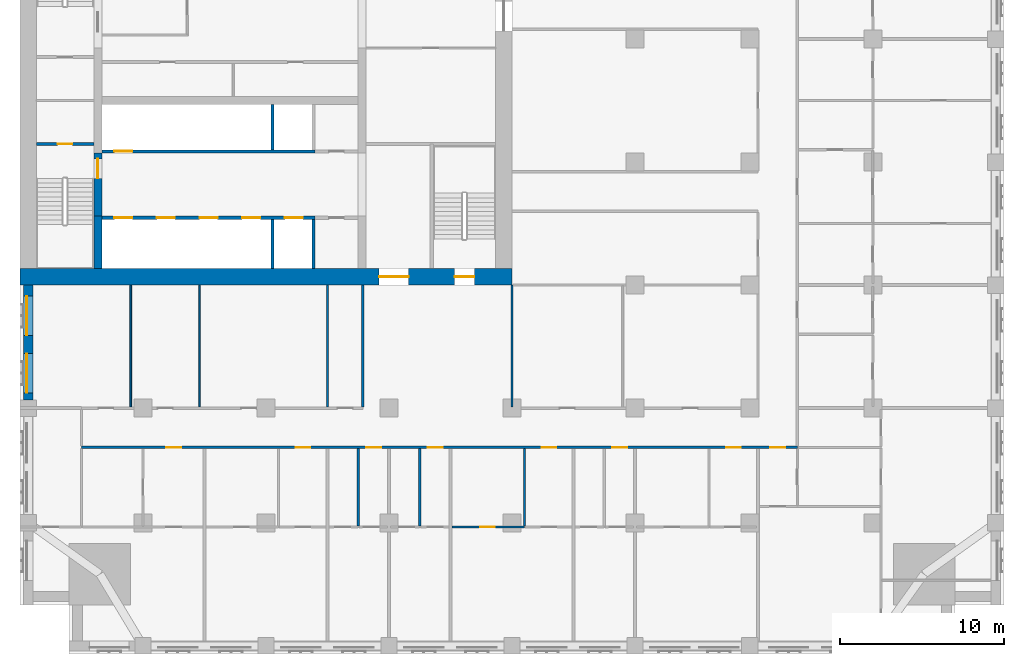
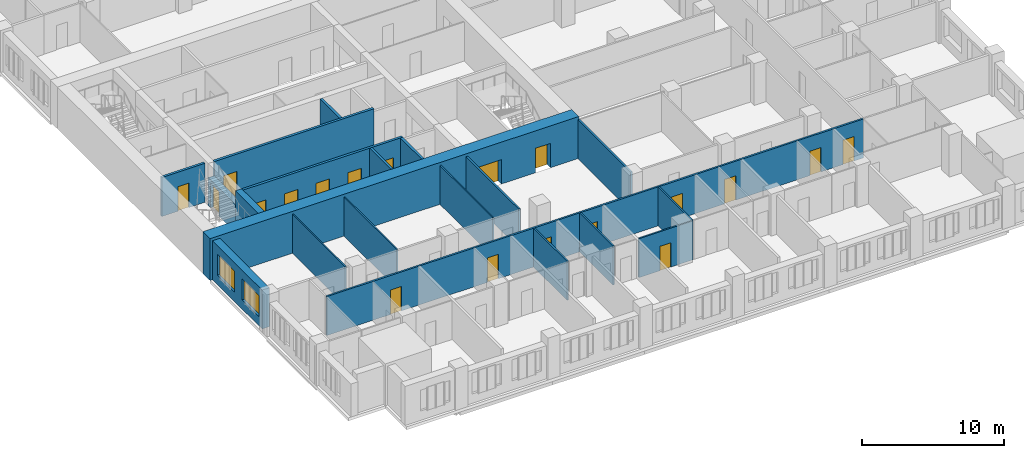
# One storey, part 5 of 14: 20 walls, 19 doors, 2 windows, 21 openings.
"""IFC4 building model written with IfcOpenShell, lengths in metres."""

from ifc_helpers import new_model, si_unit, direction, frame, frame_2d, origin, place, context, subcontext, project, spatial, rectangle, extrude, material, layer, layer_set, type_object, element, fill, save


model = new_model("IFC4")

# Units and contexts
model_context = context("Model", 3, precision=1e-05, world=origin(), true_north=direction((0.0, 1.0)))
body_context = subcontext(model_context, "Body", "Model", "MODEL_VIEW")
ifc_project = project(units=[si_unit("LENGTHUNIT", "METRE"), si_unit("AREAUNIT", "SQUARE_METRE"), si_unit("VOLUMEUNIT", "CUBIC_METRE"), si_unit("PLANEANGLEUNIT", "RADIAN"), si_unit("MASSUNIT", "GRAM", prefix="KILO")], contexts=[model_context])

# Site, building, storey
site_placement = place(None, origin())
site = spatial("IfcSite", under=ifc_project, at=site_placement, CompositionType="ELEMENT")
building_placement = place(site_placement, origin())
building = spatial("IfcBuilding", under=site, at=building_placement, Name="Tamorin Gate", CompositionType="ELEMENT")
storey_placement = place(building_placement, frame((0.0, 0.0, 104.300048828125)))
storey = spatial("IfcBuildingStorey", under=building, at=storey_placement, Name="L25", CompositionType="ELEMENT", Elevation=104.300048828125)

# Wall, openings, windows
ifc_material_1 = material(Name="Precast concrete C40/50", Category="concrete")
ifc_layer_1 = layer(ifc_material_1, 0.60009765625)
ifc_layer_set_1 = layer_set([ifc_layer_1], Name="Precast concrete C40/50")
wall_type_1 = type_object("IfcWallType", Name="Board-marked concrete facade panel 600", PredefinedType="SOLIDWALL", material=ifc_layer_set_1)
wall_1_placement = place(storey_placement, frame((30.5, 60.0, 0.0), z_axis=(0.0, 0.0, 1.0), x_axis=(0.0, -1.0, 0.0)))
wall_1 = element("IfcWall", 1, at=wall_1_placement, inside=storey, type_object=wall_type_1, Name="Facade panel", PredefinedType="SOLIDWALL", context=body_context, shape_type="SweptSolid", body=[
    extrude(rectangle(XDim=7.0, YDim=0.60009765625, at=frame_2d((3.5, 0.0))), origin(), (0.0, 0.0, 1.0), 3.349853515625),
])
opening_1_placement = place(wall_1_placement, frame((4.175048828125, 0.0, 0.800048828125)))
opening_1 = element("IfcOpeningElement", 2, at=opening_1_placement, cuts=wall_1, Name="Opening WN1", PredefinedType="OPENING", context=body_context, shape_type="SweptSolid", body=[
    extrude(rectangle(XDim=2.39990234375, YDim=1.800048828125, at=frame_2d((1.199951171875, 0.89990234375))), frame((0.0, 0.31005859375, 0.0), z_axis=(0.0, -1.0, 0.0), x_axis=(1.0, 0.0, 0.0)), (0.0, 0.0, 1.0), 0.6201171875),
])
opening_2_placement = place(wall_1_placement, frame((0.675048828125, 0.0, 0.800048828125)))
opening_2 = element("IfcOpeningElement", 3, at=opening_2_placement, cuts=wall_1, Name="Opening WN1", PredefinedType="OPENING", context=body_context, shape_type="SweptSolid", body=[
    extrude(rectangle(XDim=2.39990234375, YDim=1.800048828125, at=frame_2d((1.199951171875, 0.89990234375))), frame((0.0, 0.31005859375, 0.0), z_axis=(0.0, -1.0, 0.0), x_axis=(1.0, 0.0, 0.0)), (0.0, 0.0, 1.0), 0.6201171875),
])
ifc_material_2 = material(Name="Clear glass in aluminium frame", Category="aluminium")
window_type = type_object("IfcWindowType", Name="Deep-set window 2400x1800", PartitioningType="SINGLE_PANEL", PredefinedType="WINDOW", material=ifc_material_2)
window_1_placement = place(opening_1_placement, origin())
window_1 = element("IfcWindow", 4, at=window_1_placement, inside=storey, type_object=window_type, Name="Deep-set window", OverallHeight=1.800048828125, OverallWidth=2.39990234375, PartitioningType="SINGLE_PANEL", PredefinedType="WINDOW", context=body_context, shape_type="SweptSolid", body=[
    extrude(rectangle(XDim=2.39990234375, YDim=1.800048828125, at=frame_2d((1.199951171875, 0.89990234375))), frame((0.0, -0.070068359375, 0.0), z_axis=(0.0, -1.0, 0.0), x_axis=(1.0, 0.0, 0.0)), (0.0, 0.0, 1.0), 0.06005859375),
])
fill(opening_1, window_1)
window_2_placement = place(opening_2_placement, origin())
window_2 = element("IfcWindow", 5, at=window_2_placement, inside=storey, type_object=window_type, Name="Deep-set window", OverallHeight=1.800048828125, OverallWidth=2.39990234375, PartitioningType="SINGLE_PANEL", PredefinedType="WINDOW", context=body_context, shape_type="SweptSolid", body=[
    extrude(rectangle(XDim=2.39990234375, YDim=1.800048828125, at=frame_2d((1.199951171875, 0.89990234375))), frame((0.0, -0.070068359375, 0.0), z_axis=(0.0, -1.0, 0.0), x_axis=(1.0, 0.0, 0.0)), (0.0, 0.0, 1.0), 0.06005859375),
])
fill(opening_2, window_2)

# Wall, openings, doors
ifc_material_3 = material(Name="Gypsum board partition")
ifc_layer_2 = layer(ifc_material_3, 0.14990234375)
ifc_layer_set_2 = layer_set([ifc_layer_2], Name="Corridor wall 150")
wall_type_2 = type_object("IfcWallType", Name="Corridor wall 150", PredefinedType="PARTITIONING", material=ifc_layer_set_2)
wall_2_placement = place(storey_placement, frame((33.75, 50.10009765625, 0.0), z_axis=(0.0, 0.0, 1.0), x_axis=(1.0, 0.0, 0.0)))
wall_2 = element("IfcWall", 6, at=wall_2_placement, inside=storey, type_object=wall_type_2, Name="Corridor wall 150", PredefinedType="PARTITIONING", context=body_context, shape_type="SweptSolid", body=[
    extrude(rectangle(XDim=43.64990234375, YDim=0.14990234375, at=frame_2d((21.824951171875, 0.0))), origin(), (0.0, 0.0, 1.0), 3.349853515625),
])
opening_3_placement = place(wall_2_placement, frame((5.175048828125, 0.0, 0.0)))
opening_3 = element("IfcOpeningElement", 7, at=opening_3_placement, cuts=wall_2, Name="Opening DH8003", PredefinedType="OPENING", context=body_context, shape_type="SweptSolid", body=[
    extrude(rectangle(XDim=0.89990234375, YDim=2.10009765625, at=frame_2d((0.449951171875, 1.050048828125))), frame((0.0, 0.0849609375, 0.0), z_axis=(0.0, -1.0, 0.0), x_axis=(1.0, 0.0, 0.0)), (0.0, 0.0, 1.0), 0.169921875),
])
opening_4_placement = place(wall_2_placement, frame((13.050048828125, 0.0, 0.0)))
opening_4 = element("IfcOpeningElement", 8, at=opening_4_placement, cuts=wall_2, Name="Opening DH8006", PredefinedType="OPENING", context=body_context, shape_type="SweptSolid", body=[
    extrude(rectangle(XDim=0.89990234375, YDim=2.10009765625, at=frame_2d((0.449951171875, 1.050048828125))), frame((0.0, 0.0849609375, 0.0), z_axis=(0.0, -1.0, 0.0), x_axis=(1.0, 0.0, 0.0)), (0.0, 0.0, 1.0), 0.169921875),
])
opening_5_placement = place(wall_2_placement, frame((17.362548828125, 0.0, 0.0)))
opening_5 = element("IfcOpeningElement", 9, at=opening_5_placement, cuts=wall_2, Name="Opening DH8009", PredefinedType="OPENING", context=body_context, shape_type="SweptSolid", body=[
    extrude(rectangle(XDim=0.89990234375, YDim=2.10009765625, at=frame_2d((0.449951171875, 1.050048828125))), frame((0.0, 0.0849609375, 0.0), z_axis=(0.0, -1.0, 0.0), x_axis=(1.0, 0.0, 0.0)), (0.0, 0.0, 1.0), 0.169921875),
])
opening_6_placement = place(wall_2_placement, frame((21.112548828125, 0.0, 0.0)))
opening_6 = element("IfcOpeningElement", 10, at=opening_6_placement, cuts=wall_2, Name="Opening DH8012", PredefinedType="OPENING", context=body_context, shape_type="SweptSolid", body=[
    extrude(rectangle(XDim=0.89990234375, YDim=2.10009765625, at=frame_2d((0.449951171875, 1.050048828125))), frame((0.0, 0.0849609375, 0.0), z_axis=(0.0, -1.0, 0.0), x_axis=(1.0, 0.0, 0.0)), (0.0, 0.0, 1.0), 0.169921875),
])
opening_7_placement = place(wall_2_placement, frame((28.050048828125, 0.0, 0.0)))
opening_7 = element("IfcOpeningElement", 11, at=opening_7_placement, cuts=wall_2, Name="Opening DH8015", PredefinedType="OPENING", context=body_context, shape_type="SweptSolid", body=[
    extrude(rectangle(XDim=0.89990234375, YDim=2.10009765625, at=frame_2d((0.449951171875, 1.050048828125))), frame((0.0, 0.0849609375, 0.0), z_axis=(0.0, -1.0, 0.0), x_axis=(1.0, 0.0, 0.0)), (0.0, 0.0, 1.0), 0.169921875),
])
opening_8_placement = place(wall_2_placement, frame((32.362548828125, 0.0, 0.0)))
opening_8 = element("IfcOpeningElement", 12, at=opening_8_placement, cuts=wall_2, Name="Opening DH8018", PredefinedType="OPENING", context=body_context, shape_type="SweptSolid", body=[
    extrude(rectangle(XDim=0.89990234375, YDim=2.10009765625, at=frame_2d((0.449951171875, 1.050048828125))), frame((0.0, 0.0849609375, 0.0), z_axis=(0.0, -1.0, 0.0), x_axis=(1.0, 0.0, 0.0)), (0.0, 0.0, 1.0), 0.169921875),
])
opening_9_placement = place(wall_2_placement, frame((39.300048828125, 0.0, 0.0)))
opening_9 = element("IfcOpeningElement", 13, at=opening_9_placement, cuts=wall_2, Name="Opening DH8021", PredefinedType="OPENING", context=body_context, shape_type="SweptSolid", body=[
    extrude(rectangle(XDim=0.89990234375, YDim=2.10009765625, at=frame_2d((0.449951171875, 1.050048828125))), frame((0.0, 0.0849609375, 0.0), z_axis=(0.0, -1.0, 0.0), x_axis=(1.0, 0.0, 0.0)), (0.0, 0.0, 1.0), 0.169921875),
])
opening_10_placement = place(wall_2_placement, frame((42.0, 0.0, 0.0)))
opening_10 = element("IfcOpeningElement", 14, at=opening_10_placement, cuts=wall_2, Name="Opening DH8060", PredefinedType="OPENING", context=body_context, shape_type="SweptSolid", body=[
    extrude(rectangle(XDim=0.89990234375, YDim=2.10009765625, at=frame_2d((0.449951171875, 1.050048828125))), frame((0.0, 0.0849609375, 0.0), z_axis=(0.0, -1.0, 0.0), x_axis=(1.0, 0.0, 0.0)), (0.0, 0.0, 1.0), 0.169921875),
])
ifc_material_4 = material(Name="Timber door leaf", Category="wood")
door_type_1 = type_object("IfcDoorType", Name="Door 900 x 2100 FD30S", OperationType="NOTDEFINED", PredefinedType="DOOR", material=ifc_material_4)
door_1_placement = place(opening_3_placement, origin())
door_1 = element("IfcDoor", 15, at=door_1_placement, inside=storey, type_object=door_type_1, Name="Door DH8003", OperationType="SINGLE_SWING_RIGHT", OverallHeight=2.10009765625, OverallWidth=0.89990234375, PredefinedType="DOOR", context=body_context, shape_type="SweptSolid", body=[
    extrude(rectangle(XDim=0.89990234375, YDim=2.10009765625, at=frame_2d((0.449951171875, 1.050048828125))), frame((0.0, 0.02490234375, 0.0), z_axis=(0.0, -1.0, 0.0), x_axis=(1.0, 0.0, 0.0)), (0.0, 0.0, 1.0), 0.050048828125),
])
fill(opening_3, door_1)
door_2_placement = place(opening_4_placement, origin())
door_2 = element("IfcDoor", 16, at=door_2_placement, inside=storey, type_object=door_type_1, Name="Door DH8006", OperationType="SINGLE_SWING_RIGHT", OverallHeight=2.10009765625, OverallWidth=0.89990234375, PredefinedType="DOOR", context=body_context, shape_type="SweptSolid", body=[
    extrude(rectangle(XDim=0.89990234375, YDim=2.10009765625, at=frame_2d((0.449951171875, 1.050048828125))), frame((0.0, 0.02490234375, 0.0), z_axis=(0.0, -1.0, 0.0), x_axis=(1.0, 0.0, 0.0)), (0.0, 0.0, 1.0), 0.050048828125),
])
fill(opening_4, door_2)
door_3_placement = place(opening_5_placement, origin())
door_3 = element("IfcDoor", 17, at=door_3_placement, inside=storey, type_object=door_type_1, Name="Door DH8009", OperationType="SINGLE_SWING_RIGHT", OverallHeight=2.10009765625, OverallWidth=0.89990234375, PredefinedType="DOOR", context=body_context, shape_type="SweptSolid", body=[
    extrude(rectangle(XDim=0.89990234375, YDim=2.10009765625, at=frame_2d((0.449951171875, 1.050048828125))), frame((0.0, 0.02490234375, 0.0), z_axis=(0.0, -1.0, 0.0), x_axis=(1.0, 0.0, 0.0)), (0.0, 0.0, 1.0), 0.050048828125),
])
fill(opening_5, door_3)
door_4_placement = place(opening_6_placement, origin())
door_4 = element("IfcDoor", 18, at=door_4_placement, inside=storey, type_object=door_type_1, Name="Door DH8012", OperationType="SINGLE_SWING_RIGHT", OverallHeight=2.10009765625, OverallWidth=0.89990234375, PredefinedType="DOOR", context=body_context, shape_type="SweptSolid", body=[
    extrude(rectangle(XDim=0.89990234375, YDim=2.10009765625, at=frame_2d((0.449951171875, 1.050048828125))), frame((0.0, 0.02490234375, 0.0), z_axis=(0.0, -1.0, 0.0), x_axis=(1.0, 0.0, 0.0)), (0.0, 0.0, 1.0), 0.050048828125),
])
fill(opening_6, door_4)
door_5_placement = place(opening_7_placement, origin())
door_5 = element("IfcDoor", 19, at=door_5_placement, inside=storey, type_object=door_type_1, Name="Door DH8015", OperationType="SINGLE_SWING_RIGHT", OverallHeight=2.10009765625, OverallWidth=0.89990234375, PredefinedType="DOOR", context=body_context, shape_type="SweptSolid", body=[
    extrude(rectangle(XDim=0.89990234375, YDim=2.10009765625, at=frame_2d((0.449951171875, 1.050048828125))), frame((0.0, 0.02490234375, 0.0), z_axis=(0.0, -1.0, 0.0), x_axis=(1.0, 0.0, 0.0)), (0.0, 0.0, 1.0), 0.050048828125),
])
fill(opening_7, door_5)
door_6_placement = place(opening_8_placement, origin())
door_6 = element("IfcDoor", 20, at=door_6_placement, inside=storey, type_object=door_type_1, Name="Door DH8018", OperationType="SINGLE_SWING_RIGHT", OverallHeight=2.10009765625, OverallWidth=0.89990234375, PredefinedType="DOOR", context=body_context, shape_type="SweptSolid", body=[
    extrude(rectangle(XDim=0.89990234375, YDim=2.10009765625, at=frame_2d((0.449951171875, 1.050048828125))), frame((0.0, 0.02490234375, 0.0), z_axis=(0.0, -1.0, 0.0), x_axis=(1.0, 0.0, 0.0)), (0.0, 0.0, 1.0), 0.050048828125),
])
fill(opening_8, door_6)
door_7_placement = place(opening_9_placement, origin())
door_7 = element("IfcDoor", 21, at=door_7_placement, inside=storey, type_object=door_type_1, Name="Door DH8021", OperationType="SINGLE_SWING_RIGHT", OverallHeight=2.10009765625, OverallWidth=0.89990234375, PredefinedType="DOOR", context=body_context, shape_type="SweptSolid", body=[
    extrude(rectangle(XDim=0.89990234375, YDim=2.10009765625, at=frame_2d((0.449951171875, 1.050048828125))), frame((0.0, 0.02490234375, 0.0), z_axis=(0.0, -1.0, 0.0), x_axis=(1.0, 0.0, 0.0)), (0.0, 0.0, 1.0), 0.050048828125),
])
fill(opening_9, door_7)
door_8_placement = place(opening_10_placement, origin())
door_8 = element("IfcDoor", 22, at=door_8_placement, inside=storey, type_object=door_type_1, Name="Door DH8060", OperationType="SINGLE_SWING_LEFT", OverallHeight=2.10009765625, OverallWidth=0.89990234375, PredefinedType="DOOR", context=body_context, shape_type="SweptSolid", body=[
    extrude(rectangle(XDim=0.89990234375, YDim=2.10009765625, at=frame_2d((0.449951171875, 1.050048828125))), frame((0.0, 0.02490234375, 0.0), z_axis=(0.0, -1.0, 0.0), x_axis=(1.0, 0.0, 0.0)), (0.0, 0.0, 1.0), 0.050048828125),
])
fill(opening_10, door_8)

ifc_material_5 = material(Name="Concrete C32/40", Category="concrete")
ifc_layer_3 = layer(ifc_material_5, 0.199951171875)
ifc_layer_set_3 = layer_set([ifc_layer_3], Name="Lift lobby face wall 200 EI 120")
wall_type_3 = type_object("IfcWallType", Name="Lift lobby face wall 200 EI 120", PredefinedType="SOLIDWALL", material=ifc_layer_set_3)
wall_3_placement = place(storey_placement, frame((35.0, 64.10009765625, 0.0), z_axis=(0.0, 0.0, 1.0), x_axis=(1.0, 0.0, 0.0)))
wall_3 = element("IfcWall", 23, at=wall_3_placement, inside=storey, type_object=wall_type_3, Name="Lift lobby face wall", PredefinedType="SOLIDWALL", context=body_context, shape_type="SweptSolid", body=[
    extrude(rectangle(XDim=13.0, YDim=0.199951171875, at=frame_2d((6.5, 0.0))), origin(), (0.0, 0.0, 1.0), 3.599853515625),
])
opening_11_placement = place(wall_3_placement, frame((0.75, 0.0, 0.0)))
opening_11 = element("IfcOpeningElement", 24, at=opening_11_placement, cuts=wall_3, Name="Opening LD1", PredefinedType="OPENING", context=body_context, shape_type="SweptSolid", body=[
    extrude(rectangle(XDim=1.10009765625, YDim=2.10009765625, at=frame_2d((0.550048828125, 1.050048828125))), frame((0.0, 0.10986328125, 0.0), z_axis=(0.0, -1.0, 0.0), x_axis=(1.0, 0.0, 0.0)), (0.0, 0.0, 1.0), 0.219970703125),
])
opening_12_placement = place(wall_3_placement, frame((3.35009765625, 0.0, 0.0)))
opening_12 = element("IfcOpeningElement", 25, at=opening_12_placement, cuts=wall_3, Name="Opening LD2", PredefinedType="OPENING", context=body_context, shape_type="SweptSolid", body=[
    extrude(rectangle(XDim=1.10009765625, YDim=2.10009765625, at=frame_2d((0.550048828125, 1.050048828125))), frame((0.0, 0.10986328125, 0.0), z_axis=(0.0, -1.0, 0.0), x_axis=(1.0, 0.0, 0.0)), (0.0, 0.0, 1.0), 0.219970703125),
])
opening_13_placement = place(wall_3_placement, frame((5.949951171875, 0.0, 0.0)))
opening_13 = element("IfcOpeningElement", 26, at=opening_13_placement, cuts=wall_3, Name="Opening LD3", PredefinedType="OPENING", context=body_context, shape_type="SweptSolid", body=[
    extrude(rectangle(XDim=1.10009765625, YDim=2.10009765625, at=frame_2d((0.550048828125, 1.050048828125))), frame((0.0, 0.10986328125, 0.0), z_axis=(0.0, -1.0, 0.0), x_axis=(1.0, 0.0, 0.0)), (0.0, 0.0, 1.0), 0.219970703125),
])
opening_14_placement = place(wall_3_placement, frame((8.550048828125, 0.0, 0.0)))
opening_14 = element("IfcOpeningElement", 27, at=opening_14_placement, cuts=wall_3, Name="Opening LD4", PredefinedType="OPENING", context=body_context, shape_type="SweptSolid", body=[
    extrude(rectangle(XDim=1.10009765625, YDim=2.10009765625, at=frame_2d((0.550048828125, 1.050048828125))), frame((0.0, 0.10986328125, 0.0), z_axis=(0.0, -1.0, 0.0), x_axis=(1.0, 0.0, 0.0)), (0.0, 0.0, 1.0), 0.219970703125),
])
opening_15_placement = place(wall_3_placement, frame((11.14990234375, 0.0, 0.0)))
opening_15 = element("IfcOpeningElement", 28, at=opening_15_placement, cuts=wall_3, Name="Opening LD5", PredefinedType="OPENING", context=body_context, shape_type="SweptSolid", body=[
    extrude(rectangle(XDim=1.10009765625, YDim=2.10009765625, at=frame_2d((0.550048828125, 1.050048828125))), frame((0.0, 0.10986328125, 0.0), z_axis=(0.0, -1.0, 0.0), x_axis=(1.0, 0.0, 0.0)), (0.0, 0.0, 1.0), 0.219970703125),
])
ifc_material_6 = material(Name="Stainless steel sliding door", Category="steel")
door_type_2 = type_object("IfcDoorType", Name="Lift landing door 1100 x 2100 E 90", OperationType="DOUBLE_DOOR_SLIDING", PredefinedType="DOOR", material=ifc_material_6)
door_9_placement = place(opening_11_placement, origin())
door_9 = element("IfcDoor", 29, at=door_9_placement, inside=storey, type_object=door_type_2, Name="LR1 landing door", OperationType="DOUBLE_DOOR_SLIDING", OverallHeight=2.10009765625, OverallWidth=1.10009765625, PredefinedType="DOOR", context=body_context, shape_type="SweptSolid", body=[
    extrude(rectangle(XDim=1.10009765625, YDim=2.10009765625, at=frame_2d((0.550048828125, 1.050048828125))), frame((0.0, 0.02490234375, 0.0), z_axis=(0.0, -1.0, 0.0), x_axis=(1.0, 0.0, 0.0)), (0.0, 0.0, 1.0), 0.050048828125),
])
fill(opening_11, door_9)
door_10_placement = place(opening_12_placement, origin())
door_10 = element("IfcDoor", 30, at=door_10_placement, inside=storey, type_object=door_type_2, Name="LR2 landing door", OperationType="DOUBLE_DOOR_SLIDING", OverallHeight=2.10009765625, OverallWidth=1.10009765625, PredefinedType="DOOR", context=body_context, shape_type="SweptSolid", body=[
    extrude(rectangle(XDim=1.10009765625, YDim=2.10009765625, at=frame_2d((0.550048828125, 1.050048828125))), frame((0.0, 0.02490234375, 0.0), z_axis=(0.0, -1.0, 0.0), x_axis=(1.0, 0.0, 0.0)), (0.0, 0.0, 1.0), 0.050048828125),
])
fill(opening_12, door_10)
door_11_placement = place(opening_13_placement, origin())
door_11 = element("IfcDoor", 31, at=door_11_placement, inside=storey, type_object=door_type_2, Name="LR3 landing door", OperationType="DOUBLE_DOOR_SLIDING", OverallHeight=2.10009765625, OverallWidth=1.10009765625, PredefinedType="DOOR", context=body_context, shape_type="SweptSolid", body=[
    extrude(rectangle(XDim=1.10009765625, YDim=2.10009765625, at=frame_2d((0.550048828125, 1.050048828125))), frame((0.0, 0.02490234375, 0.0), z_axis=(0.0, -1.0, 0.0), x_axis=(1.0, 0.0, 0.0)), (0.0, 0.0, 1.0), 0.050048828125),
])
fill(opening_13, door_11)
door_12_placement = place(opening_14_placement, origin())
door_12 = element("IfcDoor", 32, at=door_12_placement, inside=storey, type_object=door_type_2, Name="LR4 landing door", OperationType="DOUBLE_DOOR_SLIDING", OverallHeight=2.10009765625, OverallWidth=1.10009765625, PredefinedType="DOOR", context=body_context, shape_type="SweptSolid", body=[
    extrude(rectangle(XDim=1.10009765625, YDim=2.10009765625, at=frame_2d((0.550048828125, 1.050048828125))), frame((0.0, 0.02490234375, 0.0), z_axis=(0.0, -1.0, 0.0), x_axis=(1.0, 0.0, 0.0)), (0.0, 0.0, 1.0), 0.050048828125),
])
fill(opening_14, door_12)
door_13_placement = place(opening_15_placement, origin())
door_13 = element("IfcDoor", 33, at=door_13_placement, inside=storey, type_object=door_type_2, Name="LR5 landing door", OperationType="DOUBLE_DOOR_SLIDING", OverallHeight=2.10009765625, OverallWidth=1.10009765625, PredefinedType="DOOR", context=body_context, shape_type="SweptSolid", body=[
    extrude(rectangle(XDim=1.10009765625, YDim=2.10009765625, at=frame_2d((0.550048828125, 1.050048828125))), frame((0.0, 0.02490234375, 0.0), z_axis=(0.0, -1.0, 0.0), x_axis=(1.0, 0.0, 0.0)), (0.0, 0.0, 1.0), 0.050048828125),
])
fill(opening_15, door_13)

# Wall, opening, door
wall_4_placement = place(storey_placement, frame((35.0, 68.14990234375, 0.0), z_axis=(0.0, 0.0, 1.0), x_axis=(1.0, 0.0, 0.0)))
wall_4 = element("IfcWall", 34, at=wall_4_placement, inside=storey, type_object=wall_type_3, Name="Lift lobby face wall", PredefinedType="SOLIDWALL", context=body_context, shape_type="SweptSolid", body=[
    extrude(rectangle(XDim=13.0, YDim=0.199951171875, at=frame_2d((6.5, 0.0))), origin(), (0.0, 0.0, 1.0), 3.599853515625),
])
opening_16_placement = place(wall_4_placement, frame((0.75, 0.0, 0.0)))
opening_16 = element("IfcOpeningElement", 35, at=opening_16_placement, cuts=wall_4, Name="Opening LD6", PredefinedType="OPENING", context=body_context, shape_type="SweptSolid", body=[
    extrude(rectangle(XDim=1.10009765625, YDim=2.10009765625, at=frame_2d((0.550048828125, 1.050048828125))), frame((0.0, 0.10986328125, 0.0), z_axis=(0.0, -1.0, 0.0), x_axis=(1.0, 0.0, 0.0)), (0.0, 0.0, 1.0), 0.219970703125),
])
door_14_placement = place(opening_16_placement, origin())
door_14 = element("IfcDoor", 36, at=door_14_placement, inside=storey, type_object=door_type_2, Name="LR6 landing door", OperationType="DOUBLE_DOOR_SLIDING", OverallHeight=2.10009765625, OverallWidth=1.10009765625, PredefinedType="DOOR", context=body_context, shape_type="SweptSolid", body=[
    extrude(rectangle(XDim=1.10009765625, YDim=2.10009765625, at=frame_2d((0.550048828125, 1.050048828125))), frame((0.0, 0.02490234375, 0.0), z_axis=(0.0, -1.0, 0.0), x_axis=(1.0, 0.0, 0.0)), (0.0, 0.0, 1.0), 0.050048828125),
])
fill(opening_16, door_14)

# Walls
ifc_layer_4 = layer(ifc_material_5, 0.199951171875)
ifc_layer_set_4 = layer_set([ifc_layer_4], Name="Lift shaft wall 200 EI 120")
wall_type_4 = type_object("IfcWallType", Name="Lift shaft wall 200 EI 120", PredefinedType="SOLIDWALL", material=ifc_layer_set_4)
for number, where, z_axis, x_axis, name in (
    (37, (45.39990234375, 61.0, 0.0), (0.0, 0.0, 1.0), (0.0, 1.0, 0.0), "Lift shaft wall"),
    (38, (47.89990234375, 61.0, 0.0), (0.0, 0.0, 1.0), (0.0, 1.0, 0.0), "Lift shaft wall"),
):
    element("IfcWall", number, at=place(storey_placement, frame(where, z_axis=z_axis, x_axis=x_axis)), inside=storey, type_object=wall_type_4, Name=name, PredefinedType="SOLIDWALL", context=body_context, shape_type="SweptSolid", body=[
        extrude(rectangle(XDim=3.0, YDim=0.199951171875, at=frame_2d((1.5, 0.0))), origin(), (0.0, 0.0, 1.0), 3.599853515625),
    ])
wall_5_placement = place(storey_placement, frame((45.39990234375, 68.25, 0.0), z_axis=(0.0, 0.0, 1.0), x_axis=(0.0, 1.0, 0.0)))
element("IfcWall", 39, at=wall_5_placement, inside=storey, type_object=wall_type_4, Name="Lift shaft wall", PredefinedType="SOLIDWALL", context=body_context, shape_type="SweptSolid", body=[
    extrude(rectangle(XDim=2.75, YDim=0.199951171875, at=frame_2d((1.375, 0.0))), origin(), (0.0, 0.0, 1.0), 3.599853515625),
])
ifc_layer_5 = layer(ifc_material_3, 0.14990234375)
ifc_layer_set_5 = layer_set([ifc_layer_5], Name="Lobby wall 150")
wall_type_5 = type_object("IfcWallType", Name="Lobby wall 150", PredefinedType="PARTITIONING", material=ifc_layer_set_5)
for number, where, z_axis, x_axis, name in (
    (40, (50.89990234375, 52.574951171875, 0.0), (0.0, 0.0, 1.0), (0.0, 1.0, 0.0), "Lobby wall 150"),
    (41, (60.0, 52.574951171875, 0.0), (0.0, 0.0, 1.0), (0.0, 1.0, 0.0), "Lobby wall 150"),
):
    element("IfcWall", number, at=place(storey_placement, frame(where, z_axis=z_axis, x_axis=x_axis)), inside=storey, type_object=wall_type_5, Name=name, PredefinedType="PARTITIONING", context=body_context, shape_type="SweptSolid", body=[
        extrude(rectangle(XDim=7.425048828125, YDim=0.14990234375, at=frame_2d((3.71240234375, 0.0))), origin(), (0.0, 0.0, 1.0), 3.349853515625),
    ])
ifc_material_7 = material(Name="Concrete C80/95", Category="concrete")
ifc_layer_6 = layer(ifc_material_7, 0.5)
ifc_layer_set_6 = layer_set([ifc_layer_6], Name="RC core internal wall 500 C80/95")
wall_type_6 = type_object("IfcWallType", Name="RC core internal wall 500 C80/95", PredefinedType="SHEAR", material=ifc_layer_set_6)
wall_6_placement = place(storey_placement, frame((34.75, 61.0, 0.0), z_axis=(0.0, 0.0, 1.0), x_axis=(0.0, 1.0, 0.0)))
element("IfcWall", 42, at=wall_6_placement, inside=storey, type_object=wall_type_6, Name="Core cross wall L25", PredefinedType="SHEAR", context=body_context, shape_type="SweptSolid", body=[
    extrude(rectangle(XDim=3.199951171875, YDim=0.5, at=frame_2d((1.60009765625, 0.0))), origin(), (0.0, 0.0, 1.0), 3.599853515625),
])

# Wall, openings, doors
ifc_layer_7 = layer(ifc_material_7, 1.0)
ifc_layer_set_7 = layer_set([ifc_layer_7], Name="RC core wall 1000 C80/95")
wall_type_7 = type_object("IfcWallType", Name="RC core wall 1000 C80/95", PredefinedType="SHEAR", material=ifc_layer_set_7)
wall_7_placement = place(storey_placement, frame((30.0, 60.5, 0.0), z_axis=(0.0, 0.0, 1.0), x_axis=(1.0, 0.0, 0.0)))
wall_7 = element("IfcWall", 43, at=wall_7_placement, inside=storey, type_object=wall_type_7, Name="Core wall L25", PredefinedType="SHEAR", context=body_context, shape_type="SweptSolid", body=[
    extrude(rectangle(XDim=30.0, YDim=1.0, at=frame_2d((15.0, 0.0))), origin(), (0.0, 0.0, 1.0), 3.599853515625),
])
opening_17_placement = place(wall_7_placement, frame((21.89990234375, 0.0, 0.0)))
opening_17 = element("IfcOpeningElement", 44, at=opening_17_placement, cuts=wall_7, Name="Opening DE1", PredefinedType="OPENING", context=body_context, shape_type="SweptSolid", body=[
    extrude(rectangle(XDim=1.800048828125, YDim=2.10009765625, at=frame_2d((0.89990234375, 1.050048828125))), frame((0.0, 0.510009765625, 0.0), z_axis=(0.0, -1.0, 0.0), x_axis=(1.0, 0.0, 0.0)), (0.0, 0.0, 1.0), 1.02001953125),
])
opening_18_placement = place(wall_7_placement, frame((26.5, 0.0, 0.0)))
opening_18 = element("IfcOpeningElement", 45, at=opening_18_placement, cuts=wall_7, Name="Opening DS1", PredefinedType="OPENING", context=body_context, shape_type="SweptSolid", body=[
    extrude(rectangle(XDim=1.199951171875, YDim=2.10009765625, at=frame_2d((0.60009765625, 1.050048828125))), frame((0.0, 0.510009765625, 0.0), z_axis=(0.0, -1.0, 0.0), x_axis=(1.0, 0.0, 0.0)), (0.0, 0.0, 1.0), 1.02001953125),
])
ifc_material_8 = material(Name="Steel fire door", Category="steel")
door_type_3 = type_object("IfcDoorType", Name="Lobby exit double door 1800 x 2100 EI 60", OperationType="DOUBLE_DOOR_SINGLE_SWING", PredefinedType="DOOR", material=ifc_material_8)
door_15_placement = place(opening_17_placement, origin())
door_15 = element("IfcDoor", 46, at=door_15_placement, inside=storey, type_object=door_type_3, Name="Lift lobby A exit door", OperationType="DOUBLE_DOOR_SINGLE_SWING", OverallHeight=2.10009765625, OverallWidth=1.800048828125, PredefinedType="DOOR", context=body_context, shape_type="SweptSolid", body=[
    extrude(rectangle(XDim=1.800048828125, YDim=2.10009765625, at=frame_2d((0.89990234375, 1.050048828125))), frame((0.0, 0.02490234375, 0.0), z_axis=(0.0, -1.0, 0.0), x_axis=(1.0, 0.0, 0.0)), (0.0, 0.0, 1.0), 0.050048828125),
])
fill(opening_17, door_15)
door_type_4 = type_object("IfcDoorType", Name="Stair door 1200 x 2100 EI 90", OperationType="SINGLE_SWING_LEFT", PredefinedType="DOOR", material=ifc_material_8)
door_16_placement = place(opening_18_placement, origin())
door_16 = element("IfcDoor", 47, at=door_16_placement, inside=storey, type_object=door_type_4, Name="ST3 door", OperationType="SINGLE_SWING_LEFT", OverallHeight=2.10009765625, OverallWidth=1.199951171875, PredefinedType="DOOR", context=body_context, shape_type="SweptSolid", body=[
    extrude(rectangle(XDim=1.199951171875, YDim=2.10009765625, at=frame_2d((0.60009765625, 1.050048828125))), frame((0.0, 0.02490234375, 0.0), z_axis=(0.0, -1.0, 0.0), x_axis=(1.0, 0.0, 0.0)), (0.0, 0.0, 1.0), 0.050048828125),
])
fill(opening_18, door_16)

# Walls
ifc_layer_8 = layer(ifc_material_3, 0.10009765625)
ifc_layer_set_8 = layer_set([ifc_layer_8], Name="Room partition 100")
wall_type_8 = type_object("IfcWallType", Name="Room partition 100", PredefinedType="PARTITIONING", material=ifc_layer_set_8)
for number, where, z_axis, x_axis, name in (
    (48, (36.75, 52.574951171875, 0.0), (0.0, 0.0, 1.0), (0.0, 1.0, 0.0), "Room partition 100"),
    (49, (40.949951171875, 52.574951171875, 0.0), (0.0, 0.0, 1.0), (0.0, 1.0, 0.0), "Room partition 100"),
    (50, (48.75, 52.574951171875, 0.0), (0.0, 0.0, 1.0), (0.0, 1.0, 0.0), "Room partition 100"),
):
    element("IfcWall", number, at=place(storey_placement, frame(where, z_axis=z_axis, x_axis=x_axis)), inside=storey, type_object=wall_type_8, Name=name, PredefinedType="PARTITIONING", context=body_context, shape_type="SweptSolid", body=[
        extrude(rectangle(XDim=7.425048828125, YDim=0.10009765625, at=frame_2d((3.71240234375, 0.0))), origin(), (0.0, 0.0, 1.0), 3.349853515625),
    ])

# Wall, opening, door
ifc_material_9 = material(Name="Concrete C40/50", Category="concrete")
ifc_layer_9 = layer(ifc_material_9, 0.199951171875)
ifc_layer_set_9 = layer_set([ifc_layer_9], Name="Stair enclosure wall 200 EI 120 C40/50")
wall_type_9 = type_object("IfcWallType", Name="Stair enclosure wall 200 EI 120 C40/50", PredefinedType="SOLIDWALL", material=ifc_layer_set_9)
wall_8_placement = place(storey_placement, frame((31.0, 68.60009765625, 0.0), z_axis=(0.0, 0.0, 1.0), x_axis=(1.0, 0.0, 0.0)))
wall_8 = element("IfcWall", 51, at=wall_8_placement, inside=storey, type_object=wall_type_9, Name="Stair enclosure wall", PredefinedType="SOLIDWALL", context=body_context, shape_type="SweptSolid", body=[
    extrude(rectangle(XDim=3.5, YDim=0.199951171875, at=frame_2d((1.75, 0.0))), origin(), (0.0, 0.0, 1.0), 3.349853515625),
])
opening_19_placement = place(wall_8_placement, frame((1.300048828125, 0.0, 0.0)))
opening_19 = element("IfcOpeningElement", 52, at=opening_19_placement, cuts=wall_8, Name="Opening DR1", PredefinedType="OPENING", context=body_context, shape_type="SweptSolid", body=[
    extrude(rectangle(XDim=0.89990234375, YDim=2.10009765625, at=frame_2d((0.449951171875, 1.050048828125))), frame((0.0, 0.10986328125, 0.0), z_axis=(0.0, -1.0, 0.0), x_axis=(1.0, 0.0, 0.0)), (0.0, 0.0, 1.0), 0.219970703125),
])
door_type_5 = type_object("IfcDoorType", Name="Riser access door 900 x 2100 EI 120", OperationType="SINGLE_SWING_LEFT", PredefinedType="DOOR", material=ifc_material_8)
door_17_placement = place(opening_19_placement, origin())
door_17 = element("IfcDoor", 53, at=door_17_placement, inside=storey, type_object=door_type_5, Name="Electrical riser door", OperationType="SINGLE_SWING_LEFT", OverallHeight=2.10009765625, OverallWidth=0.89990234375, PredefinedType="DOOR", context=body_context, shape_type="SweptSolid", body=[
    extrude(rectangle(XDim=0.89990234375, YDim=2.10009765625, at=frame_2d((0.449951171875, 1.050048828125))), frame((0.0, 0.02490234375, 0.0), z_axis=(0.0, -1.0, 0.0), x_axis=(1.0, 0.0, 0.0)), (0.0, 0.0, 1.0), 0.050048828125),
])
fill(opening_19, door_17)

ifc_layer_10 = layer(ifc_material_5, 0.5)
ifc_layer_set_10 = layer_set([ifc_layer_10], Name="Stair lobby infill wall 500 EI 120")
wall_type_10 = type_object("IfcWallType", Name="Stair lobby infill wall 500 EI 120", PredefinedType="SOLIDWALL", material=ifc_layer_set_10)
wall_9_placement = place(storey_placement, frame((34.75, 64.199951171875, 0.0), z_axis=(0.0, 0.0, 1.0), x_axis=(0.0, 1.0, 0.0)))
wall_9 = element("IfcWall", 54, at=wall_9_placement, inside=storey, type_object=wall_type_10, Name="Stair lobby infill wall", PredefinedType="SOLIDWALL", context=body_context, shape_type="SweptSolid", body=[
    extrude(rectangle(XDim=3.85009765625, YDim=0.5, at=frame_2d((1.925048828125, 0.0))), origin(), (0.0, 0.0, 1.0), 2.39990234375),
])
opening_20_placement = place(wall_9_placement, frame((2.300048828125, 0.0, 0.0)))
opening_20 = element("IfcOpeningElement", 55, at=opening_20_placement, cuts=wall_9, Name="Opening DS1", PredefinedType="OPENING", context=body_context, shape_type="SweptSolid", body=[
    extrude(rectangle(XDim=1.199951171875, YDim=2.10009765625, at=frame_2d((0.60009765625, 1.050048828125))), frame((0.0, 0.260009765625, 0.0), z_axis=(0.0, -1.0, 0.0), x_axis=(1.0, 0.0, 0.0)), (0.0, 0.0, 1.0), 0.52001953125),
])
door_18_placement = place(opening_20_placement, origin())
door_18 = element("IfcDoor", 56, at=door_18_placement, inside=storey, type_object=door_type_4, Name="ST1 door", OperationType="SINGLE_SWING_LEFT", OverallHeight=2.10009765625, OverallWidth=1.199951171875, PredefinedType="DOOR", context=body_context, shape_type="SweptSolid", body=[
    extrude(rectangle(XDim=1.199951171875, YDim=2.10009765625, at=frame_2d((0.60009765625, 1.050048828125))), frame((0.0, 0.02490234375, 0.0), z_axis=(0.0, -1.0, 0.0), x_axis=(1.0, 0.0, 0.0)), (0.0, 0.0, 1.0), 0.050048828125),
])
fill(opening_20, door_18)

ifc_layer_11 = layer(ifc_material_3, 0.125)
ifc_layer_set_11 = layer_set([ifc_layer_11], Name="Wet wall 125")
wall_type_11 = type_object("IfcWallType", Name="Wet wall 125", PredefinedType="PARTITIONING", material=ifc_layer_set_11)
wall_10_placement = place(storey_placement, frame((56.35009765625, 45.25, 0.0), z_axis=(0.0, 0.0, 1.0), x_axis=(1.0, 0.0, 0.0)))
wall_10 = element("IfcWall", 57, at=wall_10_placement, inside=storey, type_object=wall_type_11, Name="Wet wall 125", PredefinedType="PARTITIONING", context=body_context, shape_type="SweptSolid", body=[
    extrude(rectangle(XDim=4.39990234375, YDim=0.125, at=frame_2d((2.199951171875, 0.0))), origin(), (0.0, 0.0, 1.0), 3.349853515625),
])
opening_21_placement = place(wall_10_placement, frame((1.699951171875, 0.0, 0.0)))
opening_21 = element("IfcOpeningElement", 58, at=opening_21_placement, cuts=wall_10, Name="Opening DH8014", PredefinedType="OPENING", context=body_context, shape_type="SweptSolid", body=[
    extrude(rectangle(XDim=0.89990234375, YDim=2.10009765625, at=frame_2d((0.449951171875, 1.050048828125))), frame((0.0, 0.072509765625, 0.0), z_axis=(0.0, -1.0, 0.0), x_axis=(1.0, 0.0, 0.0)), (0.0, 0.0, 1.0), 0.14501953125),
])
door_type_6 = type_object("IfcDoorType", Name="Door 900 x 2100", OperationType="NOTDEFINED", PredefinedType="DOOR", material=ifc_material_4)
door_19_placement = place(opening_21_placement, origin())
door_19 = element("IfcDoor", 59, at=door_19_placement, inside=storey, type_object=door_type_6, Name="Door DH8014", OperationType="SINGLE_SWING_LEFT", OverallHeight=2.10009765625, OverallWidth=0.89990234375, PredefinedType="DOOR", context=body_context, shape_type="SweptSolid", body=[
    extrude(rectangle(XDim=0.89990234375, YDim=2.10009765625, at=frame_2d((0.449951171875, 1.050048828125))), frame((0.0, 0.02490234375, 0.0), z_axis=(0.0, -1.0, 0.0), x_axis=(1.0, 0.0, 0.0)), (0.0, 0.0, 1.0), 0.050048828125),
])
fill(opening_21, door_19)

# Walls
for number, where, z_axis, x_axis, name in (
    (60, (50.625, 45.3125, 0.0), (0.0, 0.0, 1.0), (0.0, 1.0, 0.0), "Wet wall 125"),
    (61, (54.375, 45.3125, 0.0), (0.0, 0.0, 1.0), (0.0, 1.0, 0.0), "Wet wall 125"),
    (62, (60.75, 45.3125, 0.0), (0.0, 0.0, 1.0), (0.0, 1.0, 0.0), "Wet wall 125"),
):
    element("IfcWall", number, at=place(storey_placement, frame(where, z_axis=z_axis, x_axis=x_axis)), inside=storey, type_object=wall_type_11, Name=name, PredefinedType="PARTITIONING", context=body_context, shape_type="SweptSolid", body=[
        extrude(rectangle(XDim=4.71240234375, YDim=0.125, at=frame_2d((2.356201171875, 0.0))), origin(), (0.0, 0.0, 1.0), 3.349853515625),
    ])

save(model, "model.ifc")
